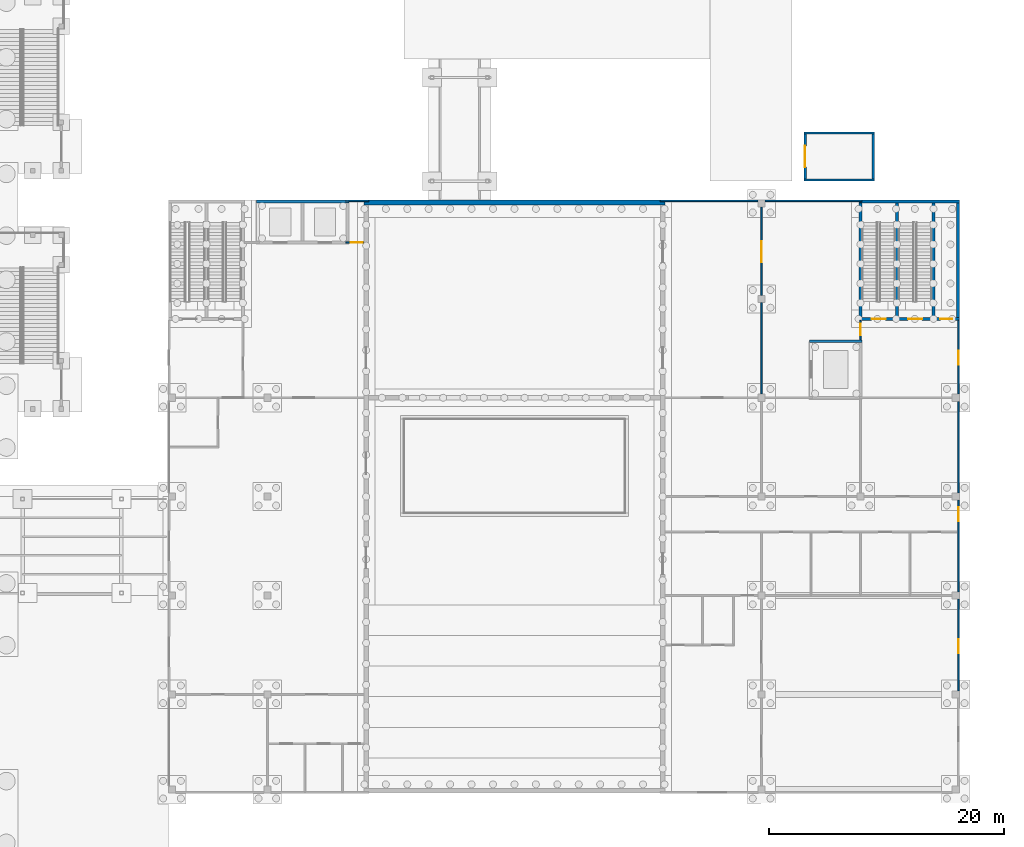
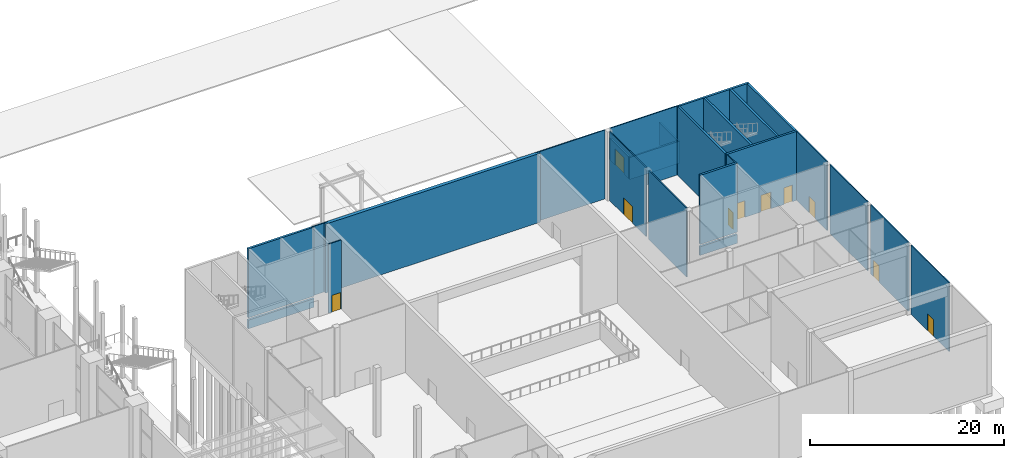
# One storey, part 48 of 72: 26 walls, 10 doors, 10 openings.
"""IFC4 building model written with IfcOpenShell, lengths in metres."""

from ifc_helpers import new_model, si_unit, direction, frame, frame_2d, origin, place, context, subcontext, project, spatial, rectangle, extrude, material, layer, layer_set, type_object, element, fill, save


model = new_model("IFC4")

# Units and contexts
model_context = context("Model", 3, precision=1e-05, world=origin(), true_north=direction((0.0, 1.0)))
body_context = subcontext(model_context, "Body", "Model", "MODEL_VIEW")
ifc_project = project(units=[si_unit("LENGTHUNIT", "METRE"), si_unit("AREAUNIT", "SQUARE_METRE"), si_unit("VOLUMEUNIT", "CUBIC_METRE"), si_unit("PLANEANGLEUNIT", "RADIAN"), si_unit("MASSUNIT", "GRAM", prefix="KILO")], contexts=[model_context])

# Site, building, storey
site_placement = place(None, origin())
site = spatial("IfcSite", under=ifc_project, at=site_placement, CompositionType="ELEMENT")
building_placement = place(site_placement, origin())
building = spatial("IfcBuilding", under=site, at=building_placement, Name="Candeia Pilgrim Tower and Theatre", CompositionType="ELEMENT")
storey_placement = place(building_placement, origin())
storey = spatial("IfcBuildingStorey", under=building, at=storey_placement, Name="L00", CompositionType="ELEMENT", Elevation=0.0)

# Wall, opening, door
ifc_material_1 = material(Name="Gypsum board on steel studs", Category="steel")
ifc_layer_1 = layer(ifc_material_1, 0.125)
ifc_layer_set_1 = layer_set([ifc_layer_1], Name="Partition 125")
wall_type_1 = type_object("IfcWallType", Name="Partition 125", PredefinedType="PARTITIONING", material=ifc_layer_set_1)
wall_1_placement = place(storey_placement, frame((191.074951171875, 112.800048828125, 0.0), z_axis=(0.0, 0.0, 1.0), x_axis=(1.0, 0.0, 0.0)))
wall_1 = element("IfcWall", 1, at=wall_1_placement, inside=storey, type_object=wall_type_1, Name="T-L00-W030", PredefinedType="PARTITIONING", context=body_context, shape_type="SweptSolid", body=[
    extrude(rectangle(XDim=1.525146484375, YDim=0.125, at=frame_2d((0.7626953125, 0.0))), origin(), (0.0, 0.0, 1.0), 8.699951171875),
])
opening_1_placement = place(wall_1_placement, frame((0.425048828125, 0.0, 0.0)))
opening_1 = element("IfcOpeningElement", 2, at=opening_1_placement, cuts=wall_1, Name="Opening TD-L00-006", PredefinedType="OPENING", context=body_context, shape_type="SweptSolid", body=[
    extrude(rectangle(XDim=1.0, YDim=2.10009765625, at=frame_2d((0.5, 1.050048828125))), frame((0.0, 0.072509765625, 0.0), z_axis=(0.0, -1.0, 0.0), x_axis=(1.0, 0.0, 0.0)), (0.0, 0.0, 1.0), 0.14501953125),
])
ifc_material_2 = material(Name="Steel fire door leaf", Category="steel")
door_type_1 = type_object("IfcDoorType", Name="Door fire single 1000x2100", OperationType="NOTDEFINED", PredefinedType="DOOR", material=ifc_material_2)
door_1_placement = place(opening_1_placement, origin())
door_1 = element("IfcDoor", 3, at=door_1_placement, inside=storey, type_object=door_type_1, Name="Door TD-L00-006", OperationType="SINGLE_SWING_RIGHT", OverallHeight=2.10009765625, OverallWidth=1.0, PredefinedType="DOOR", context=body_context, shape_type="SweptSolid", body=[
    extrude(rectangle(XDim=1.0, YDim=2.10009765625, at=frame_2d((0.5, 1.050048828125))), frame((0.0, 0.02490234375, 0.0), z_axis=(0.0, -1.0, 0.0), x_axis=(1.0, 0.0, 0.0)), (0.0, 0.0, 1.0), 0.050048828125),
])
fill(opening_1, door_1)

# Walls
wall_2_placement = place(storey_placement, frame((191.074951171875, 116.33740234375, 0.0), z_axis=(0.0, 0.0, 1.0), x_axis=(1.0, 0.0, 0.0)))
element("IfcWall", 4, at=wall_2_placement, inside=storey, type_object=wall_type_1, Name="T-L00-W035", PredefinedType="PARTITIONING", context=body_context, shape_type="SweptSolid", body=[
    extrude(rectangle(XDim=1.925048828125, YDim=0.125, at=frame_2d((0.96240234375, 0.0))), origin(), (0.0, 0.0, 1.0), 8.699951171875),
])
wall_3_placement = place(storey_placement, frame((217.800048828125, 116.33740234375, 0.0), z_axis=(0.0, 0.0, 1.0), x_axis=(1.0, 0.0, 0.0)))
element("IfcWall", 5, at=wall_3_placement, inside=storey, type_object=wall_type_1, Name="T-L00-W036", PredefinedType="PARTITIONING", context=body_context, shape_type="SweptSolid", body=[
    extrude(rectangle(XDim=8.300048828125, YDim=0.125, at=frame_2d((4.14990234375, 0.0))), origin(), (0.0, 0.0, 1.0), 8.699951171875),
])
wall_4_placement = place(storey_placement, frame((226.699951171875, 116.33740234375, 0.0), z_axis=(0.0, 0.0, 1.0), x_axis=(1.0, 0.0, 0.0)))
element("IfcWall", 6, at=wall_4_placement, inside=storey, type_object=wall_type_1, Name="T-L00-W037", PredefinedType="PARTITIONING", context=body_context, shape_type="SweptSolid", body=[
    extrude(rectangle(XDim=8.22509765625, YDim=0.125, at=frame_2d((4.112548828125, 0.0))), origin(), (0.0, 0.0, 1.0), 8.699951171875),
])
wall_5_placement = place(storey_placement, frame((226.39990234375, 99.89990234375, 0.0), z_axis=(0.0, 0.0, 1.0), x_axis=(0.0, 1.0, 0.0)))
element("IfcWall", 7, at=wall_5_placement, inside=storey, type_object=wall_type_1, Name="T-L00-W060", PredefinedType="PARTITIONING", context=body_context, shape_type="SweptSolid", body=[
    extrude(rectangle(XDim=7.800048828125, YDim=0.125, at=frame_2d((3.89990234375, 0.0))), origin(), (0.0, 0.0, 1.0), 8.699951171875),
])

# Wall, opening, door
wall_6_placement = place(storey_placement, frame((226.39990234375, 108.300048828125, 0.0), z_axis=(0.0, 0.0, 1.0), x_axis=(0.0, 1.0, 0.0)))
wall_6 = element("IfcWall", 8, at=wall_6_placement, inside=storey, type_object=wall_type_1, Name="T-L00-W061", PredefinedType="PARTITIONING", context=body_context, shape_type="SweptSolid", body=[
    extrude(rectangle(XDim=7.5, YDim=0.125, at=frame_2d((3.75, 0.0))), origin(), (0.0, 0.0, 1.0), 8.699951171875),
])
opening_2_placement = place(wall_6_placement, frame((2.800048828125, 0.0, 0.0)))
opening_2 = element("IfcOpeningElement", 9, at=opening_2_placement, cuts=wall_6, Name="Opening TD-L00-048", PredefinedType="OPENING", context=body_context, shape_type="SweptSolid", body=[
    extrude(rectangle(XDim=1.800048828125, YDim=2.10009765625, at=frame_2d((0.89990234375, 1.050048828125))), frame((0.0, 0.072509765625, 0.0), z_axis=(0.0, -1.0, 0.0), x_axis=(1.0, 0.0, 0.0)), (0.0, 0.0, 1.0), 0.14501953125),
])
ifc_material_3 = material(Name="Timber door leaf", Category="wood")
door_type_2 = type_object("IfcDoorType", Name="Door double 1800x2100", OperationType="DOUBLE_DOOR_SINGLE_SWING", PredefinedType="DOOR", material=ifc_material_3)
door_2_placement = place(opening_2_placement, origin())
door_2 = element("IfcDoor", 10, at=door_2_placement, inside=storey, type_object=door_type_2, Name="Door TD-L00-048", OperationType="DOUBLE_DOOR_SINGLE_SWING", OverallHeight=2.10009765625, OverallWidth=1.800048828125, PredefinedType="DOOR", context=body_context, shape_type="SweptSolid", body=[
    extrude(rectangle(XDim=1.800048828125, YDim=2.10009765625, at=frame_2d((0.89990234375, 1.050048828125))), frame((0.0, 0.02490234375, 0.0), z_axis=(0.0, -1.0, 0.0), x_axis=(1.0, 0.0, 0.0)), (0.0, 0.0, 1.0), 0.050048828125),
])
fill(opening_2, door_2)

wall_7_placement = place(storey_placement, frame((234.800048828125, 104.52490234375, 0.0), z_axis=(0.0, 0.0, 1.0), x_axis=(0.0, 1.0, 0.0)))
wall_7 = element("IfcWall", 11, at=wall_7_placement, inside=storey, type_object=wall_type_1, Name="T-L00-W067", PredefinedType="PARTITIONING", context=body_context, shape_type="SweptSolid", body=[
    extrude(rectangle(XDim=1.650146484375, YDim=0.125, at=frame_2d((0.8251953125, 0.0))), origin(), (0.0, 0.0, 1.0), 8.699951171875),
])
opening_3_placement = place(wall_7_placement, frame((0.375, 0.0, 0.0)))
opening_3 = element("IfcOpeningElement", 12, at=opening_3_placement, cuts=wall_7, Name="Opening TD-L00-010", PredefinedType="OPENING", context=body_context, shape_type="SweptSolid", body=[
    extrude(rectangle(XDim=1.0, YDim=2.10009765625, at=frame_2d((0.5, 1.050048828125))), frame((0.0, 0.072509765625, 0.0), z_axis=(0.0, -1.0, 0.0), x_axis=(1.0, 0.0, 0.0)), (0.0, 0.0, 1.0), 0.14501953125),
])
door_3_placement = place(opening_3_placement, origin())
door_3 = element("IfcDoor", 13, at=door_3_placement, inside=storey, type_object=door_type_1, Name="Door TD-L00-010", OperationType="SINGLE_SWING_RIGHT", OverallHeight=2.10009765625, OverallWidth=1.0, PredefinedType="DOOR", context=body_context, shape_type="SweptSolid", body=[
    extrude(rectangle(XDim=1.0, YDim=2.10009765625, at=frame_2d((0.5, 1.050048828125))), frame((0.0, 0.02490234375, 0.0), z_axis=(0.0, -1.0, 0.0), x_axis=(1.0, 0.0, 0.0)), (0.0, 0.0, 1.0), 0.050048828125),
])
fill(opening_3, door_3)

wall_8_placement = place(storey_placement, frame((243.137451171875, 82.5, 0.0), z_axis=(0.0, 0.0, 1.0), x_axis=(0.0, -1.0, 0.0)))
wall_8 = element("IfcWall", 14, at=wall_8_placement, inside=storey, type_object=wall_type_1, Name="T-L00-W074", PredefinedType="PARTITIONING", context=body_context, shape_type="SweptSolid", body=[
    extrude(rectangle(XDim=7.800048828125, YDim=0.125, at=frame_2d((3.89990234375, 0.0))), origin(), (0.0, 0.0, 1.0), 8.699951171875),
])
opening_4_placement = place(wall_8_placement, frame((3.39990234375, 0.0, 0.0)))
opening_4 = element("IfcOpeningElement", 15, at=opening_4_placement, cuts=wall_8, Name="Opening TD-L00-031", PredefinedType="OPENING", context=body_context, shape_type="SweptSolid", body=[
    extrude(rectangle(XDim=1.199951171875, YDim=2.10009765625, at=frame_2d((0.60009765625, 1.050048828125))), frame((0.0, 0.072509765625, 0.0), z_axis=(0.0, -1.0, 0.0), x_axis=(1.0, 0.0, 0.0)), (0.0, 0.0, 1.0), 0.14501953125),
])
door_type_3 = type_object("IfcDoorType", Name="Door exit single 1200x2100", OperationType="NOTDEFINED", PredefinedType="DOOR", material=ifc_material_2)
door_4_placement = place(opening_4_placement, origin())
door_4 = element("IfcDoor", 16, at=door_4_placement, inside=storey, type_object=door_type_3, Name="Door TD-L00-031", OperationType="SINGLE_SWING_LEFT", OverallHeight=2.10009765625, OverallWidth=1.199951171875, PredefinedType="DOOR", context=body_context, shape_type="SweptSolid", body=[
    extrude(rectangle(XDim=1.199951171875, YDim=2.10009765625, at=frame_2d((0.60009765625, 1.050048828125))), frame((0.0, 0.02490234375, 0.0), z_axis=(0.0, -1.0, 0.0), x_axis=(1.0, 0.0, 0.0)), (0.0, 0.0, 1.0), 0.050048828125),
])
fill(opening_4, door_4)

wall_9_placement = place(storey_placement, frame((243.137451171875, 90.89990234375, 0.0), z_axis=(0.0, 0.0, 1.0), x_axis=(0.0, -1.0, 0.0)))
wall_9 = element("IfcWall", 17, at=wall_9_placement, inside=storey, type_object=wall_type_1, Name="T-L00-W075", PredefinedType="PARTITIONING", context=body_context, shape_type="SweptSolid", body=[
    extrude(rectangle(XDim=7.7998046875, YDim=0.125, at=frame_2d((3.89990234375, 0.0))), origin(), (0.0, 0.0, 1.0), 8.699951171875),
])
opening_5_placement = place(wall_9_placement, frame((0.60009765625, 0.0, 0.0)))
opening_5 = element("IfcOpeningElement", 18, at=opening_5_placement, cuts=wall_9, Name="Opening TD-L00-044", PredefinedType="OPENING", context=body_context, shape_type="SweptSolid", body=[
    extrude(rectangle(XDim=1.199951171875, YDim=2.10009765625, at=frame_2d((0.60009765625, 1.050048828125))), frame((0.0, 0.072509765625, 0.0), z_axis=(0.0, -1.0, 0.0), x_axis=(1.0, 0.0, 0.0)), (0.0, 0.0, 1.0), 0.14501953125),
])
door_5_placement = place(opening_5_placement, origin())
door_5 = element("IfcDoor", 19, at=door_5_placement, inside=storey, type_object=door_type_3, Name="Door TD-L00-044", OperationType="SINGLE_SWING_RIGHT", OverallHeight=2.10009765625, OverallWidth=1.199951171875, PredefinedType="DOOR", context=body_context, shape_type="SweptSolid", body=[
    extrude(rectangle(XDim=1.199951171875, YDim=2.10009765625, at=frame_2d((0.60009765625, 1.050048828125))), frame((0.0, 0.02490234375, 0.0), z_axis=(0.0, -1.0, 0.0), x_axis=(1.0, 0.0, 0.0)), (0.0, 0.0, 1.0), 0.050048828125),
])
fill(opening_5, door_5)

# Wall
wall_10_placement = place(storey_placement, frame((243.137451171875, 91.5, 0.0), z_axis=(0.0, 0.0, 1.0), x_axis=(0.0, 1.0, 0.0)))
element("IfcWall", 20, at=wall_10_placement, inside=storey, type_object=wall_type_1, Name="T-L00-W076", PredefinedType="PARTITIONING", context=body_context, shape_type="SweptSolid", body=[
    extrude(rectangle(XDim=7.800048828125, YDim=0.125, at=frame_2d((3.89990234375, 0.0))), origin(), (0.0, 0.0, 1.0), 8.699951171875),
])

# Wall, opening, door
wall_11_placement = place(storey_placement, frame((243.137451171875, 106.175048828125, 0.0), z_axis=(0.0, 0.0, 1.0), x_axis=(0.0, -1.0, 0.0)))
wall_11 = element("IfcWall", 21, at=wall_11_placement, inside=storey, type_object=wall_type_1, Name="T-L00-W077", PredefinedType="PARTITIONING", context=body_context, shape_type="SweptSolid", body=[
    extrude(rectangle(XDim=6.275146484375, YDim=0.125, at=frame_2d((3.1376953125, 0.0))), origin(), (0.0, 0.0, 1.0), 8.699951171875),
])
opening_6_placement = place(wall_11_placement, frame((2.574951171875, 0.0, 0.0)))
opening_6 = element("IfcOpeningElement", 22, at=opening_6_placement, cuts=wall_11, Name="Opening TD-L00-013", PredefinedType="OPENING", context=body_context, shape_type="SweptSolid", body=[
    extrude(rectangle(XDim=1.199951171875, YDim=2.10009765625, at=frame_2d((0.60009765625, 1.050048828125))), frame((0.0, 0.072509765625, 0.0), z_axis=(0.0, -1.0, 0.0), x_axis=(1.0, 0.0, 0.0)), (0.0, 0.0, 1.0), 0.14501953125),
])
door_6_placement = place(opening_6_placement, origin())
door_6 = element("IfcDoor", 23, at=door_6_placement, inside=storey, type_object=door_type_3, Name="Door TD-L00-013", OperationType="SINGLE_SWING_LEFT", OverallHeight=2.10009765625, OverallWidth=1.199951171875, PredefinedType="DOOR", context=body_context, shape_type="SweptSolid", body=[
    extrude(rectangle(XDim=1.199951171875, YDim=2.10009765625, at=frame_2d((0.60009765625, 1.050048828125))), frame((0.0, 0.02490234375, 0.0), z_axis=(0.0, -1.0, 0.0), x_axis=(1.0, 0.0, 0.0)), (0.0, 0.0, 1.0), 0.050048828125),
])
fill(opening_6, door_6)

# Wall
ifc_material_4 = material(Name="Concrete C35/45", Category="concrete")
ifc_layer_2 = layer(ifc_material_4, 0.25)
ifc_layer_set_2 = layer_set([ifc_layer_2], Name="RC wall 250 C35/45")
wall_type_2 = type_object("IfcWallType", Name="RC wall 250 C35/45", PredefinedType="SOLIDWALL", material=ifc_layer_set_2)
wall_12_placement = place(storey_placement, frame((230.47509765625, 104.39990234375, 0.0), z_axis=(0.0, 0.0, 1.0), x_axis=(1.0, 0.0, 0.0)))
element("IfcWall", 24, at=wall_12_placement, inside=storey, type_object=wall_type_2, Name="T-L00-W025", PredefinedType="SOLIDWALL", context=body_context, shape_type="SweptSolid", body=[
    extrude(rectangle(XDim=4.449951171875, YDim=0.25, at=frame_2d((2.22509765625, 0.0))), origin(), (0.0, 0.0, 1.0), 8.699951171875),
])

# Wall, openings, doors
wall_13_placement = place(storey_placement, frame((234.737548828125, 106.300048828125, 0.0), z_axis=(0.0, 0.0, 1.0), x_axis=(1.0, 0.0, 0.0)))
wall_13 = element("IfcWall", 25, at=wall_13_placement, inside=storey, type_object=wall_type_2, Name="T-L00-W027", PredefinedType="SOLIDWALL", context=body_context, shape_type="SweptSolid", body=[
    extrude(rectangle(XDim=8.46240234375, YDim=0.25, at=frame_2d((4.231201171875, 0.0))), origin(), (0.0, 0.0, 1.0), 8.699951171875),
])
opening_7_placement = place(wall_13_placement, frame((1.012451171875, 0.0, 0.0)))
opening_7 = element("IfcOpeningElement", 26, at=opening_7_placement, cuts=wall_13, Name="Opening TD-L00-007", PredefinedType="OPENING", context=body_context, shape_type="SweptSolid", body=[
    extrude(rectangle(XDim=1.199951171875, YDim=2.10009765625, at=frame_2d((0.60009765625, 1.050048828125))), frame((0.0, 0.135009765625, 0.0), z_axis=(0.0, -1.0, 0.0), x_axis=(1.0, 0.0, 0.0)), (0.0, 0.0, 1.0), 0.27001953125),
])
opening_8_placement = place(wall_13_placement, frame((4.112548828125, 0.0, 0.0)))
opening_8 = element("IfcOpeningElement", 27, at=opening_8_placement, cuts=wall_13, Name="Opening TD-L00-008", PredefinedType="OPENING", context=body_context, shape_type="SweptSolid", body=[
    extrude(rectangle(XDim=1.199951171875, YDim=2.10009765625, at=frame_2d((0.60009765625, 1.050048828125))), frame((0.0, 0.135009765625, 0.0), z_axis=(0.0, -1.0, 0.0), x_axis=(1.0, 0.0, 0.0)), (0.0, 0.0, 1.0), 0.27001953125),
])
opening_9_placement = place(wall_13_placement, frame((6.862548828125, 0.0, 0.0)))
opening_9 = element("IfcOpeningElement", 28, at=opening_9_placement, cuts=wall_13, Name="Opening TD-L00-009", PredefinedType="OPENING", context=body_context, shape_type="SweptSolid", body=[
    extrude(rectangle(XDim=1.0, YDim=2.10009765625, at=frame_2d((0.5, 1.050048828125))), frame((0.0, 0.135009765625, 0.0), z_axis=(0.0, -1.0, 0.0), x_axis=(1.0, 0.0, 0.0)), (0.0, 0.0, 1.0), 0.27001953125),
])
door_7_placement = place(opening_7_placement, origin())
door_7 = element("IfcDoor", 29, at=door_7_placement, inside=storey, type_object=door_type_3, Name="Door TD-L00-007", OperationType="SINGLE_SWING_LEFT", OverallHeight=2.10009765625, OverallWidth=1.199951171875, PredefinedType="DOOR", context=body_context, shape_type="SweptSolid", body=[
    extrude(rectangle(XDim=1.199951171875, YDim=2.10009765625, at=frame_2d((0.60009765625, 1.050048828125))), frame((0.0, 0.02490234375, 0.0), z_axis=(0.0, -1.0, 0.0), x_axis=(1.0, 0.0, 0.0)), (0.0, 0.0, 1.0), 0.050048828125),
])
fill(opening_7, door_7)
door_8_placement = place(opening_8_placement, origin())
door_8 = element("IfcDoor", 30, at=door_8_placement, inside=storey, type_object=door_type_3, Name="Door TD-L00-008", OperationType="SINGLE_SWING_RIGHT", OverallHeight=2.10009765625, OverallWidth=1.199951171875, PredefinedType="DOOR", context=body_context, shape_type="SweptSolid", body=[
    extrude(rectangle(XDim=1.199951171875, YDim=2.10009765625, at=frame_2d((0.60009765625, 1.050048828125))), frame((0.0, 0.02490234375, 0.0), z_axis=(0.0, -1.0, 0.0), x_axis=(1.0, 0.0, 0.0)), (0.0, 0.0, 1.0), 0.050048828125),
])
fill(opening_8, door_8)
door_9_placement = place(opening_9_placement, origin())
door_9 = element("IfcDoor", 31, at=door_9_placement, inside=storey, type_object=door_type_1, Name="Door TD-L00-009", OperationType="SINGLE_SWING_LEFT", OverallHeight=2.10009765625, OverallWidth=1.0, PredefinedType="DOOR", context=body_context, shape_type="SweptSolid", body=[
    extrude(rectangle(XDim=1.0, YDim=2.10009765625, at=frame_2d((0.5, 1.050048828125))), frame((0.0, 0.02490234375, 0.0), z_axis=(0.0, -1.0, 0.0), x_axis=(1.0, 0.0, 0.0)), (0.0, 0.0, 1.0), 0.050048828125),
])
fill(opening_9, door_9)

# Walls
wall_14_placement = place(storey_placement, frame((183.47509765625, 116.27490234375, 0.0), z_axis=(0.0, 0.0, 1.0), x_axis=(1.0, 0.0, 0.0)))
element("IfcWall", 32, at=wall_14_placement, inside=storey, type_object=wall_type_2, Name="T-L00-W033", PredefinedType="SOLIDWALL", context=body_context, shape_type="SweptSolid", body=[
    extrude(rectangle(XDim=7.849853515625, YDim=0.25, at=frame_2d((3.9248046875, 0.0))), origin(), (0.0, 0.0, 1.0), 8.699951171875),
])
wall_15_placement = place(storey_placement, frame((234.675048828125, 116.27490234375, 0.0), z_axis=(0.0, 0.0, 1.0), x_axis=(1.0, 0.0, 0.0)))
element("IfcWall", 33, at=wall_15_placement, inside=storey, type_object=wall_type_2, Name="T-L00-W034", PredefinedType="SOLIDWALL", context=body_context, shape_type="SweptSolid", body=[
    extrude(rectangle(XDim=8.52490234375, YDim=0.25, at=frame_2d((4.262451171875, 0.0))), origin(), (0.0, 0.0, 1.0), 8.699951171875),
])
wall_16_placement = place(storey_placement, frame((234.800048828125, 106.425048828125, 0.0), z_axis=(0.0, 0.0, 1.0), x_axis=(0.0, 1.0, 0.0)))
element("IfcWall", 34, at=wall_16_placement, inside=storey, type_object=wall_type_2, Name="T-L00-W068", PredefinedType="SOLIDWALL", context=body_context, shape_type="SweptSolid", body=[
    extrude(rectangle(XDim=9.849853515625, YDim=0.25, at=frame_2d((4.9248046875, 0.0))), origin(), (0.0, 0.0, 1.0), 8.699951171875),
])
for number, where, z_axis, x_axis, name in (
    (35, (237.89990234375, 106.425048828125, 0.0), (0.0, 0.0, 1.0), (0.0, 1.0, 0.0), "T-L00-W069"),
    (36, (241.0, 106.425048828125, 0.0), (0.0, 0.0, 1.0), (0.0, 1.0, 0.0), "T-L00-W071"),
    (37, (243.074951171875, 106.425048828125, 0.0), (0.0, 0.0, 1.0), (0.0, 1.0, 0.0), "T-L00-W072"),
):
    element("IfcWall", number, at=place(storey_placement, frame(where, z_axis=z_axis, x_axis=x_axis)), inside=storey, type_object=wall_type_2, Name=name, PredefinedType="SOLIDWALL", context=body_context, shape_type="SweptSolid", body=[
        extrude(rectangle(XDim=9.724853515625, YDim=0.25, at=frame_2d((4.8623046875, 0.0))), origin(), (0.0, 0.0, 1.0), 8.699951171875),
    ])
wall_17_placement = place(storey_placement, frame((230.47509765625, 104.39990234375, -1.39990234375), z_axis=(0.0, 0.0, 1.0), x_axis=(1.0, 0.0, 0.0)))
element("IfcWall", 38, at=wall_17_placement, inside=storey, type_object=wall_type_2, Name="Lift pit wall 2", PredefinedType="SOLIDWALL", context=body_context, shape_type="SweptSolid", body=[
    extrude(rectangle(XDim=4.449951171875, YDim=0.25, at=frame_2d((2.22509765625, 0.0))), origin(), (0.0, 0.0, 1.0), 1.099853515625),
])
wall_18_placement = place(storey_placement, frame((183.47509765625, 116.27490234375, -1.39990234375), z_axis=(0.0, 0.0, 1.0), x_axis=(1.0, 0.0, 0.0)))
element("IfcWall", 39, at=wall_18_placement, inside=storey, type_object=wall_type_2, Name="Lift pit wall 4", PredefinedType="SOLIDWALL", context=body_context, shape_type="SweptSolid", body=[
    extrude(rectangle(XDim=7.849853515625, YDim=0.25, at=frame_2d((3.9248046875, 0.0))), origin(), (0.0, 0.0, 1.0), 1.099853515625),
])
ifc_material_5 = material(Name="Concrete C40/50", Category="concrete")
ifc_layer_3 = layer(ifc_material_5, 0.39990234375)
ifc_layer_set_3 = layer_set([ifc_layer_3], Name="RC wall 400 house C40/50")
wall_type_3 = type_object("IfcWallType", Name="RC wall 400 house C40/50", PredefinedType="SOLIDWALL", material=ifc_layer_set_3)
wall_19_placement = place(storey_placement, frame((192.60009765625, 116.199951171875, 0.0), z_axis=(0.0, 0.0, 1.0), x_axis=(1.0, 0.0, 0.0)))
element("IfcWall", 40, at=wall_19_placement, inside=storey, type_object=wall_type_3, Name="T-L00-W031", PredefinedType="SOLIDWALL", context=body_context, shape_type="SweptSolid", body=[
    extrude(rectangle(XDim=25.599853515625, YDim=0.39990234375, at=frame_2d((12.7998046875, 0.0))), origin(), (0.0, 0.0, 1.0), 8.699951171875),
])
ifc_layer_4 = layer(ifc_material_4, 0.199951171875)
ifc_layer_set_4 = layer_set([ifc_layer_4], Name="Refuse store wall 200 C35/45")
wall_type_4 = type_object("IfcWallType", Name="Refuse store wall 200 C35/45", PredefinedType="SOLIDWALL", material=ifc_layer_set_4)
for number, where, z_axis, x_axis, name in (
    (41, (230.0, 118.10009765625, 0.0), (0.0, 0.0, 1.0), (1.0, 0.0, 0.0), "Refuse store wall 1"),
    (42, (230.0, 122.10009765625, 0.0), (0.0, 0.0, 1.0), (1.0, 0.0, 0.0), "Refuse store wall 2"),
):
    element("IfcWall", number, at=place(storey_placement, frame(where, z_axis=z_axis, x_axis=x_axis)), inside=storey, type_object=wall_type_4, Name=name, PredefinedType="SOLIDWALL", context=body_context, shape_type="SweptSolid", body=[
        extrude(rectangle(XDim=6.0, YDim=0.199951171875, at=frame_2d((3.0, 0.0))), origin(), (0.0, 0.0, 1.0), 2.800048828125),
    ])

# Wall, opening, door
wall_20_placement = place(storey_placement, frame((230.10009765625, 118.199951171875, 0.0), z_axis=(0.0, 0.0, 1.0), x_axis=(0.0, 1.0, 0.0)))
wall_20 = element("IfcWall", 43, at=wall_20_placement, inside=storey, type_object=wall_type_4, Name="Refuse store wall 3", PredefinedType="SOLIDWALL", context=body_context, shape_type="SweptSolid", body=[
    extrude(rectangle(XDim=3.800048828125, YDim=0.199951171875, at=frame_2d((1.89990234375, 0.0))), origin(), (0.0, 0.0, 1.0), 2.800048828125),
])
opening_10_placement = place(wall_20_placement, frame((1.0, 0.0, 0.0)))
opening_10 = element("IfcOpeningElement", 44, at=opening_10_placement, cuts=wall_20, Name="Opening XD-001", PredefinedType="OPENING", context=body_context, shape_type="SweptSolid", body=[
    extrude(rectangle(XDim=1.800048828125, YDim=2.10009765625, at=frame_2d((0.89990234375, 1.050048828125))), frame((0.0, 0.10986328125, 0.0), z_axis=(0.0, -1.0, 0.0), x_axis=(1.0, 0.0, 0.0)), (0.0, 0.0, 1.0), 0.219970703125),
])
door_10_placement = place(opening_10_placement, origin())
door_10 = element("IfcDoor", 45, at=door_10_placement, inside=storey, type_object=door_type_2, Name="Refuse store staff door", OperationType="DOUBLE_DOOR_SINGLE_SWING", OverallHeight=2.10009765625, OverallWidth=1.800048828125, PredefinedType="DOOR", context=body_context, shape_type="SweptSolid", body=[
    extrude(rectangle(XDim=1.800048828125, YDim=2.10009765625, at=frame_2d((0.89990234375, 1.050048828125))), frame((0.0, 0.02490234375, 0.0), z_axis=(0.0, -1.0, 0.0), x_axis=(1.0, 0.0, 0.0)), (0.0, 0.0, 1.0), 0.050048828125),
])
fill(opening_10, door_10)

# Wall
wall_21_placement = place(storey_placement, frame((235.89990234375, 118.199951171875, 0.0), z_axis=(0.0, 0.0, 1.0), x_axis=(0.0, 1.0, 0.0)))
element("IfcWall", 46, at=wall_21_placement, inside=storey, type_object=wall_type_4, Name="Refuse store wall 4", PredefinedType="SOLIDWALL", context=body_context, shape_type="SweptSolid", body=[
    extrude(rectangle(XDim=3.800048828125, YDim=0.199951171875, at=frame_2d((1.89990234375, 0.0))), origin(), (0.0, 0.0, 1.0), 2.800048828125),
])

save(model, "model.ifc")
